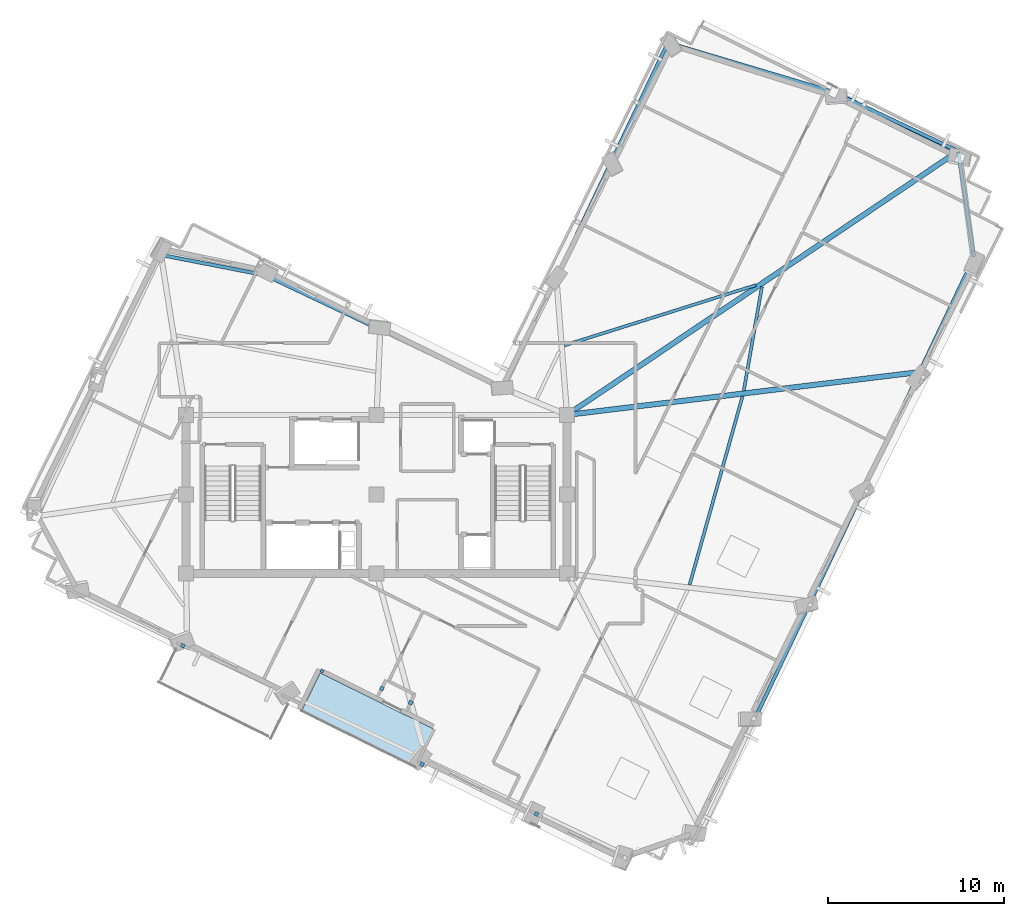
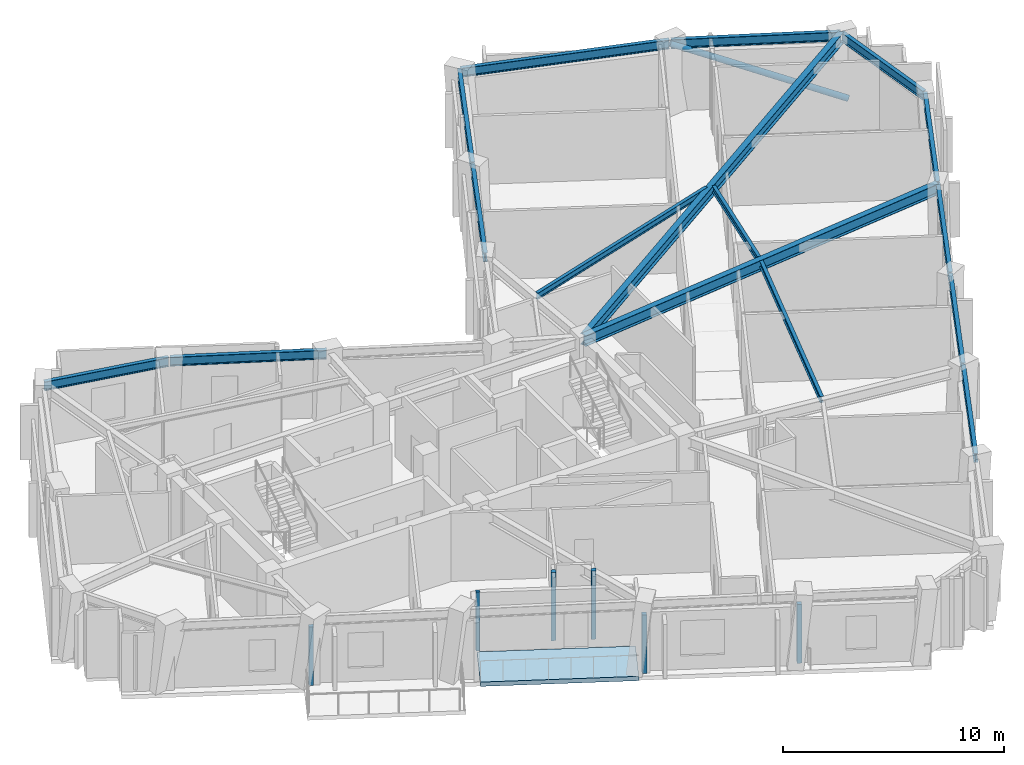
# One storey, part 2 of 11: 16 beams, 6 plates, 1 member, 1 slab.
"""IFC4 building model written with IfcOpenShell, lengths in metres."""

from ifc_helpers import new_model, si_unit, direction, frame, origin, origin_2d, place, context, subcontext, project, spatial, polyline, rectangle, hollow_circle, i_section, outline, extrude, material, layer, layer_set, material_profile, profile_set, type_object, element, save


model = new_model("IFC4")

# Units and contexts
model_context = context("Model", 3, precision=1e-05, world=origin(), true_north=direction((0.0, 1.0)))
body_context = subcontext(model_context, "Body", "Model", "MODEL_VIEW")
ifc_project = project(units=[si_unit("LENGTHUNIT", "METRE"), si_unit("AREAUNIT", "SQUARE_METRE"), si_unit("VOLUMEUNIT", "CUBIC_METRE"), si_unit("PLANEANGLEUNIT", "RADIAN"), si_unit("MASSUNIT", "GRAM", prefix="KILO")], contexts=[model_context])

# Site, building, storey
site_placement = place(None, origin())
site = spatial("IfcSite", under=ifc_project, at=site_placement, CompositionType="ELEMENT")
building_placement = place(site_placement, origin())
building = spatial("IfcBuilding", under=site, at=building_placement, Name="Gaonmaruhae Medical Tower", CompositionType="ELEMENT")
storey_placement = place(building_placement, frame((0.0, 0.0, 296.60009765625)))
storey = spatial("IfcBuildingStorey", under=building, at=storey_placement, Name="L71", CompositionType="ELEMENT", Elevation=296.60009765625)

# Beams
ifc_material_1 = material(Name="Steel SM355", Category="steel")
ifc_material_profile_1 = material_profile(ifc_material_1, i_section(OverallWidth=0.175048828125, OverallDepth=0.35009765625, WebThickness=0.007080078125, FlangeThickness=0.010986328125, FilletRadius=0.012939453125, at=origin_2d()), Name="H-350x175x7x11")
ifc_profile_set_1 = profile_set([ifc_material_profile_1], Name="Steel SM355")
beam_type_1 = type_object("IfcBeamType", Name="FJ-02 Upper Zone Ward Floor Joist (H-350x175x7x11)", PredefinedType="JOIST", material=ifc_profile_set_1)
beam_1_placement = place(storey_placement, frame((42.547607421875, 7.163330078125, 3.60498046875), z_axis=(0.270219558016, 0.96279872791, 0.0), x_axis=(-0.96279872791, 0.270219558016, 0.0)))
element("IfcBeam", 1, at=beam_1_placement, inside=storey, type_object=beam_type_1, Name="L71 Secondary Floor Joist FJ02", PredefinedType="JOIST", context=body_context, shape_type="SweptSolid", body=[
    extrude(i_section(OverallWidth=0.175048828125, OverallDepth=0.35009765625, WebThickness=0.007080078125, FlangeThickness=0.010986328125, FilletRadius=0.012939453125, at=origin_2d()), origin(), (0.0, 0.0, 1.0), 11.10302734375),
])
beam_2_placement = place(storey_placement, frame((45.62109375, 18.17578125, 3.60498046875), z_axis=(0.171723673967, 0.985145156715, 0.0), x_axis=(-0.985145156715, 0.171723673967, 0.0)))
element("IfcBeam", 2, at=beam_2_placement, inside=storey, type_object=beam_type_1, Name="L71 Secondary Floor Joist FJ03", PredefinedType="JOIST", context=body_context, shape_type="SweptSolid", body=[
    extrude(i_section(OverallWidth=0.175048828125, OverallDepth=0.35009765625, WebThickness=0.007080078125, FlangeThickness=0.010986328125, FilletRadius=0.012939453125, at=origin_2d()), origin(), (0.0, 0.0, 1.0), 5.979736328125),
])
beam_3_placement = place(storey_placement, frame((46.302734375, 24.1572265625, 3.60498046875), z_axis=(-0.953830700771, -0.300344792308, 0.0), x_axis=(0.300344792308, -0.953830700771, 0.0)))
element("IfcBeam", 3, at=beam_3_placement, inside=storey, type_object=beam_type_1, Name="L71 Secondary Floor Joist FJ04", PredefinedType="JOIST", context=body_context, shape_type="SweptSolid", body=[
    extrude(i_section(OverallWidth=0.175048828125, OverallDepth=0.35009765625, WebThickness=0.007080078125, FlangeThickness=0.010986328125, FilletRadius=0.012939453125, at=origin_2d()), origin(), (0.0, 0.0, 1.0), 11.380126953125),
])

# Member
ifc_material_profile_2 = material_profile(ifc_material_1, hollow_circle(Radius=0.1591796875, WallThickness=0.01025390625, at=origin_2d()), Name="CHS-318.5x10.3")
ifc_profile_set_2 = profile_set([ifc_material_profile_2], Name="Steel SM355")
member_type = type_object("IfcMemberType", Name="PB-03 Perimeter Solid-Bay Tube Brace Upper (CHS-318.5x10.3)", PredefinedType="BRACE", material=ifc_profile_set_2)
member_placement = place(storey_placement, frame((57.881591796875, 31.353515625, 0.25), z_axis=(-0.820881251524, 0.429745432302, 0.376128746989), x_axis=(-0.463803742242, -0.885937971125, 0.0)))
element("IfcMember", 4, at=member_placement, inside=storey, type_object=member_type, Name="L71 Perimeter Tube Solid-Bay Brace E01-E02", PredefinedType="BRACE", context=body_context, shape_type="SweptSolid", body=[
    extrude(hollow_circle(Radius=0.1591796875, WallThickness=0.01025390625, at=origin_2d()), origin(), (0.0, 0.0, 1.0), 8.7197265625),
])

# Beams
ifc_material_2 = material(Name="Steel SM420", Category="steel")
ifc_material_profile_3 = material_profile(ifc_material_2, i_section(OverallWidth=0.300048828125, OverallDepth=0.60009765625, WebThickness=0.011962890625, FlangeThickness=0.02001953125, FilletRadius=0.012939453125, at=origin_2d()), Name="H-600x300x12x20")
ifc_profile_set_3 = profile_set([ifc_material_profile_3], Name="Steel SM420")
beam_type_2 = type_object("IfcBeamType", Name="PG-04 Zone 4 Radial Floor Girder (H-600x300x12x20)", PredefinedType="BEAM", material=ifc_profile_set_3)
beam_4_placement = place(storey_placement, frame((35.649658203125, 16.80615234375, 3.47998046875), z_axis=(0.992685220276, 0.120731327522, 0.0), x_axis=(-0.120731327522, 0.992685220276, 0.0)))
element("IfcBeam", 5, at=beam_4_placement, inside=storey, type_object=beam_type_2, Name="L71 Radial Primary Girder S05", PredefinedType="BEAM", context=body_context, shape_type="SweptSolid", body=[
    extrude(i_section(OverallWidth=0.300048828125, OverallDepth=0.60009765625, WebThickness=0.011962890625, FlangeThickness=0.02001953125, FilletRadius=0.012939453125, at=origin_2d()), origin(), (0.0, 0.0, 1.0), 20.03369140625),
])
beam_5_placement = place(storey_placement, frame((35.641357421875, 16.827880859375, 3.47998046875), z_axis=(0.829013937083, 0.559227942901, 0.0), x_axis=(-0.559227942901, 0.829013937083, 0.0)))
element("IfcBeam", 6, at=beam_5_placement, inside=storey, type_object=beam_type_2, Name="L71 Radial Primary Girder E01", PredefinedType="BEAM", context=body_context, shape_type="SweptSolid", body=[
    extrude(i_section(OverallWidth=0.300048828125, OverallDepth=0.60009765625, WebThickness=0.011962890625, FlangeThickness=0.02001953125, FilletRadius=0.012939453125, at=origin_2d()), origin(), (0.0, 0.0, 1.0), 26.642333984375),
])
ifc_material_profile_4 = material_profile(ifc_material_1, i_section(OverallWidth=0.199951171875, OverallDepth=0.5, WebThickness=0.010009765625, FlangeThickness=0.01611328125, FilletRadius=0.012939453125, at=origin_2d()), Name="H-500x200x10x16")
ifc_profile_set_4 = profile_set([ifc_material_profile_4], Name="Steel SM355")
beam_type_3 = type_object("IfcBeamType", Name="SP-02 Upper Perimeter Spandrel Beam (H-500x200x10x16)", PredefinedType="SPANDREL", material=ifc_profile_set_4)
beam_6_placement = place(storey_placement, frame((46.338623046875, -0.2451171875, 3.52978515625), z_axis=(0.428948403351, 0.903328991709, 0.0), x_axis=(-0.903328991709, 0.428948403351, 0.0)))
element("IfcBeam", 7, at=beam_6_placement, inside=storey, type_object=beam_type_3, Name="L71 Perimeter Spandrel Beam S02-S03", PredefinedType="SPANDREL", context=body_context, shape_type="SweptSolid", body=[
    extrude(i_section(OverallWidth=0.199951171875, OverallDepth=0.5, WebThickness=0.010009765625, FlangeThickness=0.01611328125, FilletRadius=0.012939453125, at=origin_2d()), origin(), (0.0, 0.0, 1.0), 7.1201171875),
])
beam_7_placement = place(storey_placement, frame((49.427001953125, 6.259033203125, 3.52978515625), z_axis=(0.42893370928, 0.903335969085, 0.0), x_axis=(-0.903335969085, 0.42893370928, 0.0)))
element("IfcBeam", 8, at=beam_7_placement, inside=storey, type_object=beam_type_3, Name="L71 Perimeter Spandrel Beam S03-S04", PredefinedType="SPANDREL", context=body_context, shape_type="SweptSolid", body=[
    extrude(i_section(OverallWidth=0.199951171875, OverallDepth=0.5, WebThickness=0.010009765625, FlangeThickness=0.01611328125, FilletRadius=0.012939453125, at=origin_2d()), origin(), (0.0, 0.0, 1.0), 7.119873046875),
])
beam_8_placement = place(storey_placement, frame((52.515380859375, 12.762939453125, 3.52978515625), z_axis=(0.428920423253, 0.903342277609, 0.0), x_axis=(-0.903342277609, 0.428920423253, 0.0)))
element("IfcBeam", 9, at=beam_8_placement, inside=storey, type_object=beam_type_3, Name="L71 Perimeter Spandrel Beam S04-S05", PredefinedType="SPANDREL", context=body_context, shape_type="SweptSolid", body=[
    extrude(i_section(OverallWidth=0.199951171875, OverallDepth=0.5, WebThickness=0.010009765625, FlangeThickness=0.01611328125, FilletRadius=0.012939453125, at=origin_2d()), origin(), (0.0, 0.0, 1.0), 7.1201171875),
])
beam_9_placement = place(storey_placement, frame((55.603759765625, 19.26708984375, 3.52978515625), z_axis=(0.42893370928, 0.903335969085, 0.0), x_axis=(-0.903335969085, 0.42893370928, 0.0)))
element("IfcBeam", 10, at=beam_9_placement, inside=storey, type_object=beam_type_3, Name="L71 Perimeter Spandrel Beam S05-S06", PredefinedType="SPANDREL", context=body_context, shape_type="SweptSolid", body=[
    extrude(i_section(OverallWidth=0.199951171875, OverallDepth=0.5, WebThickness=0.010009765625, FlangeThickness=0.01611328125, FilletRadius=0.012939453125, at=origin_2d()), origin(), (0.0, 0.0, 1.0), 7.119873046875),
])
beam_10_placement = place(storey_placement, frame((58.6689453125, 25.7744140625, 3.52978515625), z_axis=(-0.148688187077, 0.988884130232, 0.0), x_axis=(-0.988884130232, -0.148688187077, 0.0)))
element("IfcBeam", 11, at=beam_10_placement, inside=storey, type_object=beam_type_3, Name="L71 Perimeter Spandrel Beam S06-E01", PredefinedType="SPANDREL", context=body_context, shape_type="SweptSolid", body=[
    extrude(i_section(OverallWidth=0.199951171875, OverallDepth=0.5, WebThickness=0.010009765625, FlangeThickness=0.01611328125, FilletRadius=0.012939453125, at=origin_2d()), origin(), (0.0, 0.0, 1.0), 6.008056640625),
])
beam_11_placement = place(storey_placement, frame((57.7333984375, 31.772216796875, 3.52978515625), z_axis=(-0.903325298513, 0.428956180823, 0.0), x_axis=(-0.428956180823, -0.903325298513, 0.0)))
element("IfcBeam", 12, at=beam_11_placement, inside=storey, type_object=beam_type_3, Name="L71 Perimeter Spandrel Beam E01-E02", PredefinedType="SPANDREL", context=body_context, shape_type="SweptSolid", body=[
    extrude(i_section(OverallWidth=0.199951171875, OverallDepth=0.5, WebThickness=0.010009765625, FlangeThickness=0.01611328125, FilletRadius=0.012939453125, at=origin_2d()), origin(), (0.0, 0.0, 1.0), 7.719970703125),
])
beam_12_placement = place(storey_placement, frame((50.685302734375, 35.1123046875, 3.52978515625), z_axis=(-0.958277879297, 0.28583825155, 0.0), x_axis=(-0.28583825155, -0.958277879297, 0.0)))
element("IfcBeam", 13, at=beam_12_placement, inside=storey, type_object=beam_type_3, Name="L71 Perimeter Spandrel Beam E02-E03", PredefinedType="SPANDREL", context=body_context, shape_type="SweptSolid", body=[
    extrude(i_section(OverallWidth=0.199951171875, OverallDepth=0.5, WebThickness=0.010009765625, FlangeThickness=0.01611328125, FilletRadius=0.012939453125, at=origin_2d()), origin(), (0.0, 0.0, 1.0), 9.7353515625),
])
beam_13_placement = place(storey_placement, frame((41.30078125, 37.870361328125, 3.52978515625), z_axis=(-0.428923480473, -0.903340825989, 0.0), x_axis=(0.903340825989, -0.428923480473, 0.0)))
element("IfcBeam", 14, at=beam_13_placement, inside=storey, type_object=beam_type_3, Name="L71 Perimeter Spandrel Beam E03-EN01", PredefinedType="SPANDREL", context=body_context, shape_type="SweptSolid", body=[
    extrude(i_section(OverallWidth=0.199951171875, OverallDepth=0.5, WebThickness=0.010009765625, FlangeThickness=0.01611328125, FilletRadius=0.012939453125, at=origin_2d()), origin(), (0.0, 0.0, 1.0), 7.47021484375),
])
for number, where, z_axis, x_axis, name in (
    (15, (38.062255859375, 31.050048828125, 3.52978515625), (-0.42893370928, -0.903335969085, 0.0), (0.903335969085, -0.42893370928, 0.0), "L71 Perimeter Spandrel Beam EN01-EN02"),
    (16, (24.972900390625, 21.6455078125, 3.52978515625), (-0.903335969085, 0.42893370928, 0.0), (-0.42893370928, -0.903335969085, 0.0), "L71 Perimeter Spandrel Beam NE01-NE02"),
):
    element("IfcBeam", number, at=place(storey_placement, frame(where, z_axis=z_axis, x_axis=x_axis)), inside=storey, type_object=beam_type_3, Name=name, PredefinedType="SPANDREL", context=body_context, shape_type="SweptSolid", body=[
        extrude(i_section(OverallWidth=0.199951171875, OverallDepth=0.5, WebThickness=0.010009765625, FlangeThickness=0.01611328125, FilletRadius=0.012939453125, at=origin_2d()), origin(), (0.0, 0.0, 1.0), 7.119873046875),
    ])
beam_14_placement = place(storey_placement, frame((18.4658203125, 24.724365234375, 3.52978515625), z_axis=(-0.981566957273, 0.191118571546, 0.0), x_axis=(-0.191118571546, -0.981566957273, 0.0)))
element("IfcBeam", 17, at=beam_14_placement, inside=storey, type_object=beam_type_3, Name="L71 Perimeter Spandrel Beam NE02-N01", PredefinedType="SPANDREL", context=body_context, shape_type="SweptSolid", body=[
    extrude(i_section(OverallWidth=0.199951171875, OverallDepth=0.5, WebThickness=0.010009765625, FlangeThickness=0.01611328125, FilletRadius=0.012939453125, at=origin_2d()), origin(), (0.0, 0.0, 1.0), 5.959228515625),
])

# Plates
ifc_material_3 = material(Name="Anodised aluminium 6063-T6", Category="aluminium")
ifc_layer_1 = layer(ifc_material_3, 0.011962890625)
ifc_layer_set_1 = layer_set([ifc_layer_1], Name="Anodised aluminium 6063-T6")
plate_type = type_object("IfcPlateType", Name="PP-01 Interior Partition Corner Stiffener Plate", PredefinedType="SHEET", material=ifc_layer_set_1)
plate_1_placement = place(storey_placement, frame((21.7080078125, 2.2783203125, 0.0), z_axis=(0.0, 0.0, 1.0), x_axis=(-0.896099436521, 0.443853354011, 0.0)))
element("IfcPlate", 18, at=plate_1_placement, inside=storey, type_object=plate_type, Name="L71 Partition End Jamb Post Plate PLT-L71-ENDP-TERB-1", PredefinedType="SHEET", context=body_context, shape_type="SweptSolid", body=[
    extrude(rectangle(XDim=0.179931640625, YDim=0.179931640625, at=origin_2d()), origin(), (0.0, 0.0, 1.0), 3.264892578125),
])
plate_2_placement = place(storey_placement, frame((33.862060546875, -5.822998046875, 0.0), z_axis=(0.0, 0.0, 1.0), x_axis=(-0.895998706324, 0.444056661097, 0.0)))
element("IfcPlate", 19, at=plate_2_placement, inside=storey, type_object=plate_type, Name="L71 Partition Corner Stiffener Plate PLT-L71-JGP-PW010", PredefinedType="SHEET", context=body_context, shape_type="SweptSolid", body=[
    extrude(rectangle(XDim=0.219970703125, YDim=0.219970703125, at=origin_2d()), origin(), (0.0, 0.0, 1.0), 3.264892578125),
])
plate_3_placement = place(storey_placement, frame((27.37255859375, -3.00439453125, -0.000244140625), z_axis=(0.0, 0.0, 1.0), x_axis=(-0.896339453123, 0.443368452615, 0.0)))
element("IfcPlate", 20, at=plate_3_placement, inside=storey, type_object=plate_type, Name="L71 Partition Corner Stiffener Plate PLT-L71-JGP-PW039", PredefinedType="SHEET", context=body_context, shape_type="SweptSolid", body=[
    extrude(rectangle(XDim=0.219970703125, YDim=0.219970703125, at=origin_2d()), origin(), (0.0, 0.0, 1.0), 3.2451171875),
])
for number, where, z_axis, x_axis, name in (
    (21, (26.73291015625, 0.4833984375, 0.0), (0.0, 0.0, 1.0), (0.443790793387, 0.896130421147, 0.0), "L71 Partition Corner Stiffener Plate PLT-L71-JGP-PW041"),
    (22, (25.098388671875, 1.29345703125, 0.0), (0.0, 0.0, 1.0), (-0.444557011895, -0.895750558568, 0.0), "L71 Partition Corner Stiffener Plate PLT-L71-JGP-PW046"),
):
    element("IfcPlate", number, at=place(storey_placement, frame(where, z_axis=z_axis, x_axis=x_axis)), inside=storey, type_object=plate_type, Name=name, PredefinedType="SHEET", context=body_context, shape_type="SweptSolid", body=[
        extrude(rectangle(XDim=0.219970703125, YDim=0.219970703125, at=origin_2d()), origin(), (0.0, 0.0, 1.0), 3.780029296875),
    ])
plate_4_placement = place(storey_placement, frame((13.81201171875, 3.7119140625, -0.000244140625), z_axis=(0.0, 0.0, 1.0), x_axis=(-0.895952199907, 0.444150487428, 0.0)))
element("IfcPlate", 23, at=plate_4_placement, inside=storey, type_object=plate_type, Name="L71 Partition Corner Stiffener Plate PLT-L71-JGP-PW050", PredefinedType="SHEET", context=body_context, shape_type="SweptSolid", body=[
    extrude(rectangle(XDim=0.219970703125, YDim=0.219970703125, at=origin_2d()), origin(), (0.0, 0.0, 1.0), 3.2451171875),
])

# Slab
ifc_material_4 = material(Name="Concrete C40/50", Category="concrete")
ifc_layer_2 = layer(ifc_material_4, 0.239990234375)
ifc_layer_set_2 = layer_set([ifc_layer_2], Name="Concrete C40/50")
slab_type = type_object("IfcSlabType", Name="TS-240 Sky Garden & Recovery Terrace Slab", PredefinedType="FLOOR", material=ifc_layer_set_2)
slab_placement = place(storey_placement, frame((0.0, 0.0, -0.239990234375)))
element("IfcSlab", 24, at=slab_placement, inside=storey, type_object=slab_type, Name="L71 Outdoor Recovery Terrace Slab", PredefinedType="FLOOR", context=body_context, shape_type="SweptSolid", body=[
    extrude(outline(polyline([(26.996826171875, -3.17578125), (28.06201171875, -1.025146484375), (21.610107421875, 2.170654296875), (20.544921875, 0.02001953125), (26.996826171875, -3.17578125)])), origin(), (0.0, 0.0, 1.0), 0.239990234375),
])

save(model, "model.ifc")
